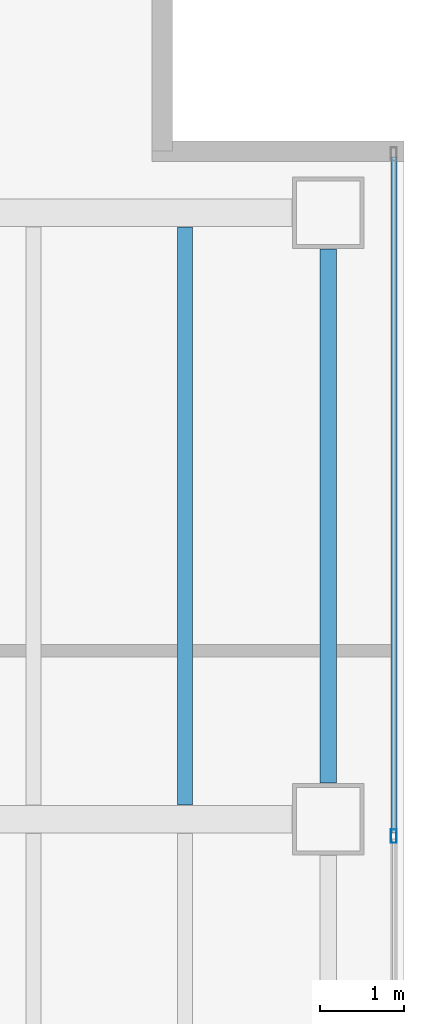
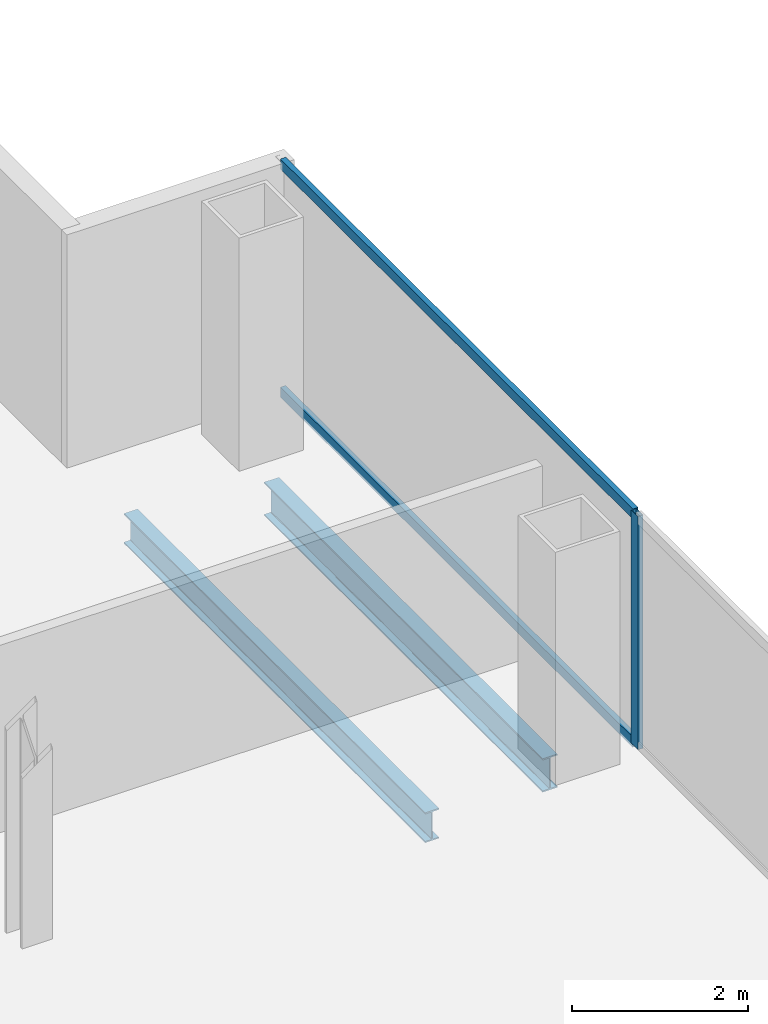
# One storey, part 14 of 23: 3 members, 2 beams, 1 element without a shape of its own.
"""IFC4 building model written with IfcOpenShell, lengths in metres."""

import ifcopenshell
import ifcopenshell.guid

model = None  # the IFC model being written
_history = None  # IfcOwnerHistory: only IFC2X3 demands one
_inside = {}  # id of a spatial element -> (the spatial element, [elements in it])
_under = {}  # id of a project, library or spatial element -> (it, [spatial elements below it])
_declared = {}  # id of a project -> (the project, [libraries it declares])
_typed = {}  # id of a type object -> (the type object, [elements of that type])
_made_of = {}  # id of a material, layer set ... -> (it, [elements and type objects made of it])


def new_model(schema):
    """Start an empty IFC model of exactly this schema.

    Asked for "IFC4X3", IfcOpenShell would pick the latest addendum, in which some entities
    have other attributes; the version numbers below select the first issue.
    IFC2X3 requires an IfcOwnerHistory on every rooted entity: one is made here for all.
    """
    global model, _history
    if schema == "IFC4X3":
        model = ifcopenshell.file(schema_version=(4, 3, 0, 0))
    else:
        model = ifcopenshell.file(schema=schema)
    _inside.clear()
    _under.clear()
    _declared.clear()
    _typed.clear()
    _made_of.clear()
    _history = None
    if model.schema == "IFC2X3":
        org = make("IfcOrganization", Name="unknown")
        user = make(
            "IfcPersonAndOrganization",
            ThePerson=make("IfcPerson", FamilyName="unknown"),
            TheOrganization=org,
        )
        app = make(
            "IfcApplication",
            ApplicationDeveloper=org,
            Version="unknown",
            ApplicationFullName="unknown",
            ApplicationIdentifier="unknown",
        )
        _history = make(
            "IfcOwnerHistory",
            OwningUser=user,
            OwningApplication=app,
            ChangeAction="ADDED",
            CreationDate=0,
        )
    return model


def make(cls, **values):
    """One entity of the class cls with the attributes given. An attribute that is None is left unset."""
    return model.create_entity(
        cls, **{name: value for name, value in values.items() if value is not None}
    )


def rooted(cls, **values):
    """An entity with a GlobalId (a new one), such as an element, a storey or a relation."""
    return make(cls, GlobalId=ifcopenshell.guid.new(), OwnerHistory=_history, **values)


def si_unit(unit_type, name, prefix=None):
    """IfcSIUnit, for example si_unit("LENGTHUNIT", "METRE", prefix="MILLI")."""
    return make("IfcSIUnit", UnitType=unit_type, Prefix=prefix, Name=name)


def assignment(units):
    """IfcUnitAssignment: the units of a project."""
    return None if units is None else make("IfcUnitAssignment", Units=units)


def point(xyz):
    """IfcCartesianPoint."""
    return None if xyz is None else make("IfcCartesianPoint", Coordinates=xyz)


def direction(xyz):
    """IfcDirection."""
    return None if xyz is None else make("IfcDirection", DirectionRatios=xyz)


def frame(location, z_axis=None, x_axis=None):
    """IfcAxis2Placement3D, a coordinate frame: its origin and axes. An axis left out is left unset."""
    return make(
        "IfcAxis2Placement3D",
        Location=point(location),
        Axis=direction(z_axis),
        RefDirection=direction(x_axis),
    )


def frame_2d(location, x_axis=None):
    """IfcAxis2Placement2D, a coordinate frame in the plane: its origin and x axis."""
    return make(
        "IfcAxis2Placement2D", Location=point(location), RefDirection=direction(x_axis)
    )


def origin():
    """The frame at (0, 0, 0) with its axes left unset."""
    return frame((0.0, 0.0, 0.0))


def origin_2d():
    """The frame at (0, 0) in the plane with its x axis left unset."""
    return frame_2d((0.0, 0.0))


def place(relative_to, where):
    """IfcLocalPlacement: puts the frame where relative to a parent placement (None: the world)."""
    return make(
        "IfcLocalPlacement", PlacementRelTo=relative_to, RelativePlacement=where
    )


def context(
    kind, dimensions, precision=None, world=None, true_north=None, identifier=None
):
    """IfcGeometricRepresentationContext, for example the 3D "Model" context."""
    return make(
        "IfcGeometricRepresentationContext",
        ContextIdentifier=identifier,
        ContextType=kind,
        CoordinateSpaceDimension=dimensions,
        Precision=precision,
        WorldCoordinateSystem=world,
        TrueNorth=true_north,
    )


def subcontext(parent, identifier, kind, view, scale=None):
    """IfcGeometricRepresentationSubContext, for example "Body" below "Model"."""
    return make(
        "IfcGeometricRepresentationSubContext",
        ContextIdentifier=identifier,
        ContextType=kind,
        ParentContext=parent,
        TargetScale=scale,
        TargetView=view,
    )


def project(units=None, contexts=None):
    """IfcProject with its units and contexts."""
    return rooted(
        "IfcProject",
        Name="project",
        RepresentationContexts=contexts,
        UnitsInContext=assignment(units),
    )


def spatial(cls, under=None, at=None, **own):
    """A site, building, storey or space (cls), placed at a placement, below another one or the project."""
    s = rooted(cls, ObjectPlacement=at, **own)
    if under is not None:
        _under.setdefault(under.id(), (under, []))[1].append(s)
    return s


def profile(cls, at=None, kind="AREA", **sizes):
    """A parametric profile (cls). Its sizes go by their IFC names, for example OverallWidth=200.0."""
    return make(cls, ProfileType=kind, Position=at, **sizes)


def hollow_rectangle(**sizes):
    """IfcRectangleHollowProfileDef."""
    return profile("IfcRectangleHollowProfileDef", **sizes)


def i_section(**sizes):
    """IfcIShapeProfileDef."""
    return profile("IfcIShapeProfileDef", **sizes)


def extrude(swept, where, along, depth):
    """IfcExtrudedAreaSolid: the profile swept, set in the frame where, extruded along a direction by depth."""
    return make(
        "IfcExtrudedAreaSolid",
        SweptArea=swept,
        Position=where,
        ExtrudedDirection=direction(along),
        Depth=depth,
    )


def shape(context_of_items, identifier, shape_type, items):
    """IfcShapeRepresentation: the items that make up one representation, for example the "Body"."""
    return make(
        "IfcShapeRepresentation",
        ContextOfItems=context_of_items,
        RepresentationIdentifier=identifier,
        RepresentationType=shape_type,
        Items=items,
    )


def material(Name=None, Category=None):
    """IfcMaterial."""
    return make("IfcMaterial", Name=Name, Category=Category)


def material_profile(
    of_material, cross_section, Name=None, Category=None, Priority=None
):
    """IfcMaterialProfile: a cross section and its material."""
    return make(
        "IfcMaterialProfile",
        Name=Name,
        Material=of_material,
        Profile=cross_section,
        Priority=Priority,
        Category=Category,
    )


def profile_set(profiles, Name=None, composite=None):
    """IfcMaterialProfileSet."""
    return make(
        "IfcMaterialProfileSet",
        Name=Name,
        MaterialProfiles=profiles,
        CompositeProfile=composite,
    )


def made_of(thing, what):
    """Note that an element or type object is made of a material, layer set ...; save() writes the relation."""
    if what is not None:
        _made_of.setdefault(what.id(), (what, []))[1].append(thing)
    return thing


def type_object(cls, material=None, **own):
    """A type object (cls), such as IfcWallType, which elements share."""
    return made_of(rooted(cls, **own), material)


def element(
    cls,
    number,
    at=None,
    inside=None,
    cuts=None,
    type_object=None,
    material=None,
    context=None,
    identifier="Body",
    shape_type=None,
    held_by="IfcProductDefinitionShape",
    body=None,
    shapes=None,
    **own,
):
    """One element of the class cls, such as IfcWall. Its Tag is "e" and its number.

    at: its placement. inside: the storey or other place that contains it. cuts: it is an
    opening in that element (IfcRelVoidsElement). A single representation is given by context,
    identifier, shape_type and body (its items); several are given by shapes. held_by: the class
    of the entity that holds the representations. save() writes the other relations.
    """
    e = rooted(cls, Tag="e%d" % number, ObjectPlacement=at, **own)
    if body is not None:
        shapes = [shape(context, identifier, shape_type, body)]
    if shapes is not None:
        e.Representation = make(held_by, Representations=shapes)
    if inside is not None:
        _inside.setdefault(inside.id(), (inside, []))[1].append(e)
    if cuts is not None:
        rooted(
            "IfcRelVoidsElement", RelatingBuildingElement=cuts, RelatedOpeningElement=e
        )
    if type_object is not None:
        _typed.setdefault(type_object.id(), (type_object, []))[1].append(e)
    return made_of(e, material)


def aggregate(whole, parts):
    """IfcRelAggregates: a whole, such as a stair, and the parts it consists of."""
    return rooted("IfcRelAggregates", RelatingObject=whole, RelatedObjects=parts)


def save(model, path):
    """Write the relations noted so far, then the file.

    IfcRelAggregates (storeys below a building ...), IfcRelContainedInSpatialStructure (elements
    in a storey), IfcRelDefinesByType, IfcRelAssociatesMaterial and IfcRelDeclares: one each for
    every whole, place, type object, material and project.
    """
    for whole, parts in _under.values():
        aggregate(whole, parts)
    for where, things in _inside.values():
        rooted(
            "IfcRelContainedInSpatialStructure",
            RelatedElements=things,
            RelatingStructure=where,
        )
    for kind, things in _typed.values():
        rooted("IfcRelDefinesByType", RelatedObjects=things, RelatingType=kind)
    for what, things in _made_of.values():
        rooted("IfcRelAssociatesMaterial", RelatedObjects=things, RelatingMaterial=what)
    for by, libraries in _declared.values():
        rooted("IfcRelDeclares", RelatingContext=by, RelatedDefinitions=libraries)
    model.write(path)


model = new_model("IFC4")

# Units and contexts
model_context = context("Model", 3, precision=1e-05, world=origin(), true_north=direction((0.0, 1.0)))
body_context = subcontext(model_context, "Body", "Model", "MODEL_VIEW")
ifc_project = project(units=[si_unit("LENGTHUNIT", "METRE"), si_unit("AREAUNIT", "SQUARE_METRE"), si_unit("VOLUMEUNIT", "CUBIC_METRE"), si_unit("PLANEANGLEUNIT", "RADIAN"), si_unit("MASSUNIT", "GRAM", prefix="KILO")], contexts=[model_context])

# Site, building, storey
site_placement = place(None, origin())
site = spatial("IfcSite", under=ifc_project, at=site_placement, CompositionType="ELEMENT")
building_placement = place(site_placement, origin())
building = spatial("IfcBuilding", under=site, at=building_placement, Name="Cobrela Telecom Tower", CompositionType="ELEMENT")
storey_placement = place(building_placement, frame((0.0, 0.0, 180.25)))
storey = spatial("IfcBuildingStorey", under=building, at=storey_placement, Name="L45", CompositionType="ELEMENT", Elevation=180.25)

# Beams
ifc_material_1 = material(Name="Steel ASTM A992 Grade 50", Category="steel")
ifc_material_profile_1 = material_profile(ifc_material_1, i_section(OverallWidth=0.179931640625, OverallDepth=0.4169921875, WebThickness=0.010986328125, FlangeThickness=0.01806640625, FilletRadius=0.011962890625, at=origin_2d()), Name="W16X57")
ifc_profile_set_1 = profile_set([ifc_material_profile_1], Name="Steel ASTM A992 Grade 50")
beam_type_1 = type_object("IfcBeamType", Name="BM-JOIST-04", PredefinedType="JOIST", material=ifc_profile_set_1)
beam_1_placement = place(storey_placement, frame((41.39990234375, 14.569091796875, -0.468505859375), z_axis=(0.0, 1.0, 0.0), x_axis=(-1.0, 0.0, 0.0)))
element("IfcBeam", 1, at=beam_1_placement, inside=storey, type_object=beam_type_1, Name="L45 Secondary Composite Floor Beam J30", PredefinedType="JOIST", context=body_context, shape_type="SweptSolid", body=[
    extrude(i_section(OverallWidth=0.179931640625, OverallDepth=0.4169921875, WebThickness=0.010986328125, FlangeThickness=0.01806640625, FilletRadius=0.011962890625, at=origin_2d()), origin(), (0.0, 0.0, 1.0), 6.86181640625),
])
ifc_material_profile_2 = material_profile(ifc_material_1, i_section(OverallWidth=0.193115234375, OverallDepth=0.467041015625, WebThickness=0.011474609375, FlangeThickness=0.01904296875, FilletRadius=0.012939453125, at=origin_2d()), Name="W18X65")
ifc_profile_set_2 = profile_set([ifc_material_profile_2], Name="Steel ASTM A992 Grade 50")
beam_type_2 = type_object("IfcBeamType", Name="BM-SPAND-05", PredefinedType="SPANDREL", material=ifc_profile_set_2)
beam_2_placement = place(storey_placement, frame((43.10009765625, 14.830078125, -0.493408203125), z_axis=(0.0, 1.0, 0.0), x_axis=(-1.0, 0.0, 0.0)))
element("IfcBeam", 2, at=beam_2_placement, inside=storey, type_object=beam_type_2, Name="L45 Perimeter Spandrel Y43", PredefinedType="SPANDREL", context=body_context, shape_type="SweptSolid", body=[
    extrude(i_section(OverallWidth=0.193115234375, OverallDepth=0.467041015625, WebThickness=0.011474609375, FlangeThickness=0.01904296875, FilletRadius=0.012939453125, at=origin_2d()), origin(), (0.0, 0.0, 1.0), 6.33984375),
])

# Curtain wall, members
ifc_material_2 = material(Name="Anodized Bronze Aluminium 6063-T6", Category="aluminium")
curtain_wall_type = type_object("IfcCurtainWallType", Name="CW-SYS-OFF-LO", PredefinedType="USERDEFINED", material=ifc_material_2)
curtain_wall_placement = place(storey_placement, origin())
curtain_wall = element("IfcCurtainWall", 3, at=curtain_wall_placement, inside=storey, type_object=curtain_wall_type, Name="L45 Unitised Bronze Curtain Wall 14", ObjectType="UNITISED CURTAIN WALL", PredefinedType="USERDEFINED")
ifc_material_profile_3 = material_profile(ifc_material_2, hollow_rectangle(XDim=0.070068359375, YDim=0.159912109375, WallThickness=0.00390625, at=origin_2d()), Name="ALU 70x160x4")
ifc_profile_set_3 = profile_set([ifc_material_profile_3], Name="Anodized Bronze Aluminium 6063-T6")
member_type_1 = type_object("IfcMemberType", Name="CW-SYS-OFF-LO-MUL", PredefinedType="MULLION", material=ifc_profile_set_3)
member_1_placement = place(storey_placement, frame((43.8798828125, 14.199951171875, 0.0), z_axis=(0.0, 0.0, 1.0), x_axis=(1.0, 0.0, 0.0)))
member_1 = element("IfcMember", 4, at=member_1_placement, type_object=member_type_1, Name="CW-OFF-LO mullion 2", PredefinedType="MULLION", context=body_context, shape_type="SweptSolid", body=[
    extrude(hollow_rectangle(XDim=0.070068359375, YDim=0.159912109375, WallThickness=0.00390625, at=origin_2d()), origin(), (0.0, 0.0, 1.0), 3.239990234375),
])
ifc_material_profile_4 = material_profile(ifc_material_2, hollow_rectangle(XDim=0.070068359375, YDim=0.139892578125, WallThickness=0.00390625, at=origin_2d()), Name="ALU 70x140x4")
ifc_profile_set_4 = profile_set([ifc_material_profile_4], Name="Anodized Bronze Aluminium 6063-T6")
member_type_2 = type_object("IfcMemberType", Name="CW-SYS-OFF-LO-TRN", PredefinedType="USERDEFINED", material=ifc_profile_set_4)
member_2_placement = place(storey_placement, frame((43.8798828125, 22.260009765625, 0.034912109375), z_axis=(0.0, -1.0, 0.0), x_axis=(1.0, 0.0, 0.0)))
member_2 = element("IfcMember", 5, at=member_2_placement, type_object=member_type_2, Name="CW-OFF-LO transom 1.1", ObjectType="TRANSOM", PredefinedType="USERDEFINED", context=body_context, shape_type="SweptSolid", body=[
    extrude(hollow_rectangle(XDim=0.070068359375, YDim=0.139892578125, WallThickness=0.00390625, at=origin_2d()), origin(), (0.0, 0.0, 1.0), 8.02490234375),
])
member_3_placement = place(storey_placement, frame((43.8798828125, 22.260009765625, 3.205078125), z_axis=(0.0, -1.0, 0.0), x_axis=(1.0, 0.0, 0.0)))
member_3 = element("IfcMember", 6, at=member_3_placement, type_object=member_type_2, Name="CW-OFF-LO transom 1.2", ObjectType="TRANSOM", PredefinedType="USERDEFINED", context=body_context, shape_type="SweptSolid", body=[
    extrude(hollow_rectangle(XDim=0.070068359375, YDim=0.139892578125, WallThickness=0.00390625, at=origin_2d()), origin(), (0.0, 0.0, 1.0), 8.02490234375),
])
aggregate(curtain_wall, [member_1, member_2, member_3])

save(model, "model.ifc")
